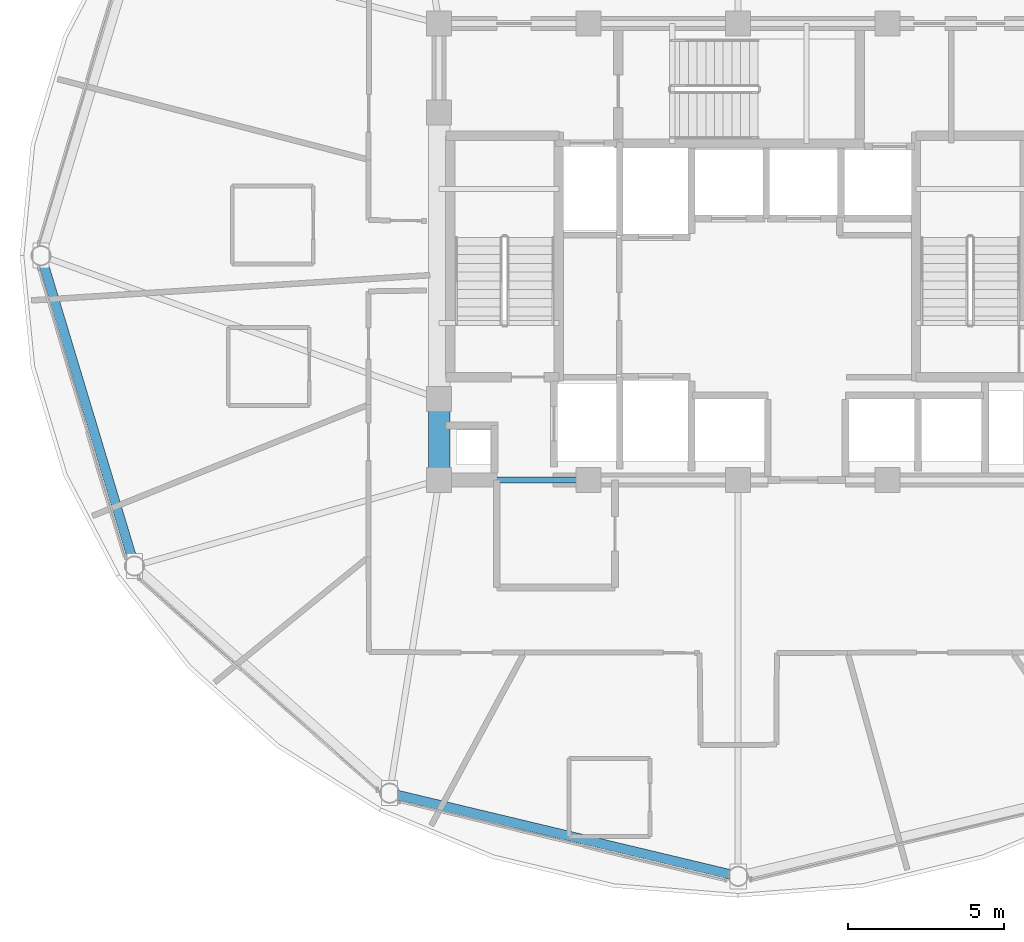
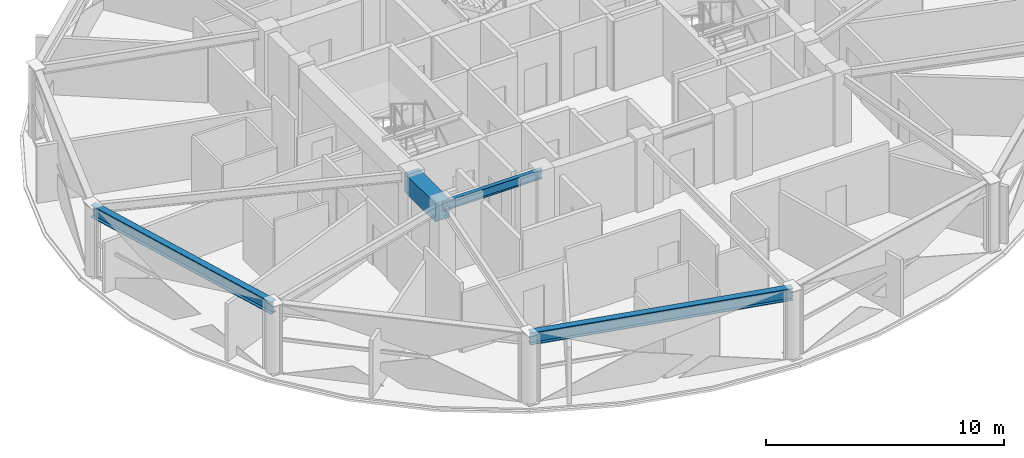
# One storey, part 4 of 30: 4 beams.
"""IFC4 building model written with IfcOpenShell, lengths in metres."""

from ifc_helpers import new_model, si_unit, direction, frame, origin, origin_2d, place, context, subcontext, project, spatial, rectangle, i_section, extrude, material, material_profile, profile_set, type_object, element, save


model = new_model("IFC4")

# Units and contexts
model_context = context("Model", 3, precision=1e-05, world=origin(), true_north=direction((0.0, 1.0)))
body_context = subcontext(model_context, "Body", "Model", "MODEL_VIEW")
ifc_project = project(units=[si_unit("LENGTHUNIT", "METRE"), si_unit("AREAUNIT", "SQUARE_METRE"), si_unit("VOLUMEUNIT", "CUBIC_METRE"), si_unit("PLANEANGLEUNIT", "RADIAN"), si_unit("MASSUNIT", "GRAM", prefix="KILO")], contexts=[model_context])

# Site, building, storey
site_placement = place(None, origin())
site = spatial("IfcSite", under=ifc_project, at=site_placement, CompositionType="ELEMENT")
building_placement = place(site_placement, origin())
building = spatial("IfcBuilding", under=site, at=building_placement, Name="Vantalir Tower", CompositionType="ELEMENT")
storey_placement = place(building_placement, frame((0.0, 0.0, 201.14990234375)))
storey = spatial("IfcBuildingStorey", under=building, at=storey_placement, Name="L50", CompositionType="ELEMENT", Elevation=201.14990234375)

# Beams
ifc_material_1 = material(Name="Concrete C60/75", Category="concrete")
ifc_material_profile_1 = material_profile(ifc_material_1, rectangle(XDim=0.699951171875, YDim=0.949951171875, at=origin_2d()), Name="Concrete C60/75")
ifc_profile_set_1 = profile_set([ifc_material_profile_1], Name="Concrete C60/75")
beam_type_1 = type_object("IfcBeamType", Name="BM-CB-700x950", PredefinedType="USERDEFINED", material=ifc_profile_set_1)
beam_1_placement = place(storey_placement, frame((21.89990234375, 20.39990234375, 3.09521484375), z_axis=(0.0, -1.0, 0.0), x_axis=(1.0, 0.0, 0.0)))
element("IfcBeam", 1, at=beam_1_placement, inside=storey, type_object=beam_type_1, Name="L50 Core Coupling Girder 14", ObjectType="GIRDER", PredefinedType="USERDEFINED", context=body_context, shape_type="SweptSolid", body=[
    extrude(rectangle(XDim=0.699951171875, YDim=0.949951171875, at=origin_2d()), origin(), (0.0, 0.0, 1.0), 2.599853515625),
])
ifc_material_2 = material(Name="Steel S355", Category="steel")
ifc_material_profile_2 = material_profile(ifc_material_2, i_section(OverallWidth=0.19189453125, OverallDepth=0.462890625, WebThickness=0.010498046875, FlangeThickness=0.017578125, at=origin_2d()), Name="Steel S355")
ifc_profile_set_2 = profile_set([ifc_material_profile_2], Name="Steel S355")
beam_type_2 = type_object("IfcBeamType", Name="BM-RB-457x191", PredefinedType="BEAM", material=ifc_profile_set_2)
beam_2_placement = place(storey_placement, frame((21.89990234375, 17.800048828125, 3.338134765625), z_axis=(1.0, 0.0, 0.0), x_axis=(0.0, 1.0, 0.0)))
element("IfcBeam", 2, at=beam_2_placement, inside=storey, type_object=beam_type_2, Name="L50 Core Coupling Girder 01", PredefinedType="BEAM", context=body_context, shape_type="SweptSolid", body=[
    extrude(i_section(OverallWidth=0.19189453125, OverallDepth=0.462890625, WebThickness=0.010498046875, FlangeThickness=0.017578125, at=origin_2d()), origin(), (0.0, 0.0, 1.0), 4.800048828125),
])
ifc_material_3 = material(Name="Steel S460", Category="steel")
ifc_material_profile_3 = material_profile(ifc_material_3, i_section(OverallWidth=0.306884765625, OverallDepth=0.6201171875, WebThickness=0.01416015625, FlangeThickness=0.023681640625, at=origin_2d()), Name="Steel S460")
ifc_profile_set_3 = profile_set([ifc_material_profile_3], Name="Steel S460")
beam_type_3 = type_object("IfcBeamType", Name="BM-RG-610x305", PredefinedType="USERDEFINED", material=ifc_profile_set_3)
beam_3_placement = place(storey_placement, frame((9.117919921875, 25.0, 3.260009765625), z_axis=(0.288243302571, -0.957557203786, 0.0), x_axis=(0.957557203786, 0.288243302571, 0.0)))
element("IfcBeam", 3, at=beam_3_placement, inside=storey, type_object=beam_type_3, Name="L50 Circumferential Ring Girder 07", ObjectType="GIRDER", PredefinedType="USERDEFINED", context=body_context, shape_type="SweptSolid", body=[
    extrude(i_section(OverallWidth=0.306884765625, OverallDepth=0.6201171875, WebThickness=0.01416015625, FlangeThickness=0.023681640625, at=origin_2d()), origin(), (0.0, 0.0, 1.0), 10.404541015625),
])
beam_4_placement = place(storey_placement, frame((20.30908203125, 7.743896484375, 3.260009765625), z_axis=(0.972719168126, -0.231985818447, 0.0), x_axis=(0.231985818447, 0.972719168126, 0.0)))
element("IfcBeam", 4, at=beam_4_placement, inside=storey, type_object=beam_type_3, Name="L50 Circumferential Ring Girder 09", ObjectType="GIRDER", PredefinedType="USERDEFINED", context=body_context, shape_type="SweptSolid", body=[
    extrude(i_section(OverallWidth=0.306884765625, OverallDepth=0.6201171875, WebThickness=0.01416015625, FlangeThickness=0.023681640625, at=origin_2d()), origin(), (0.0, 0.0, 1.0), 11.5048828125),
])

save(model, "model.ifc")
